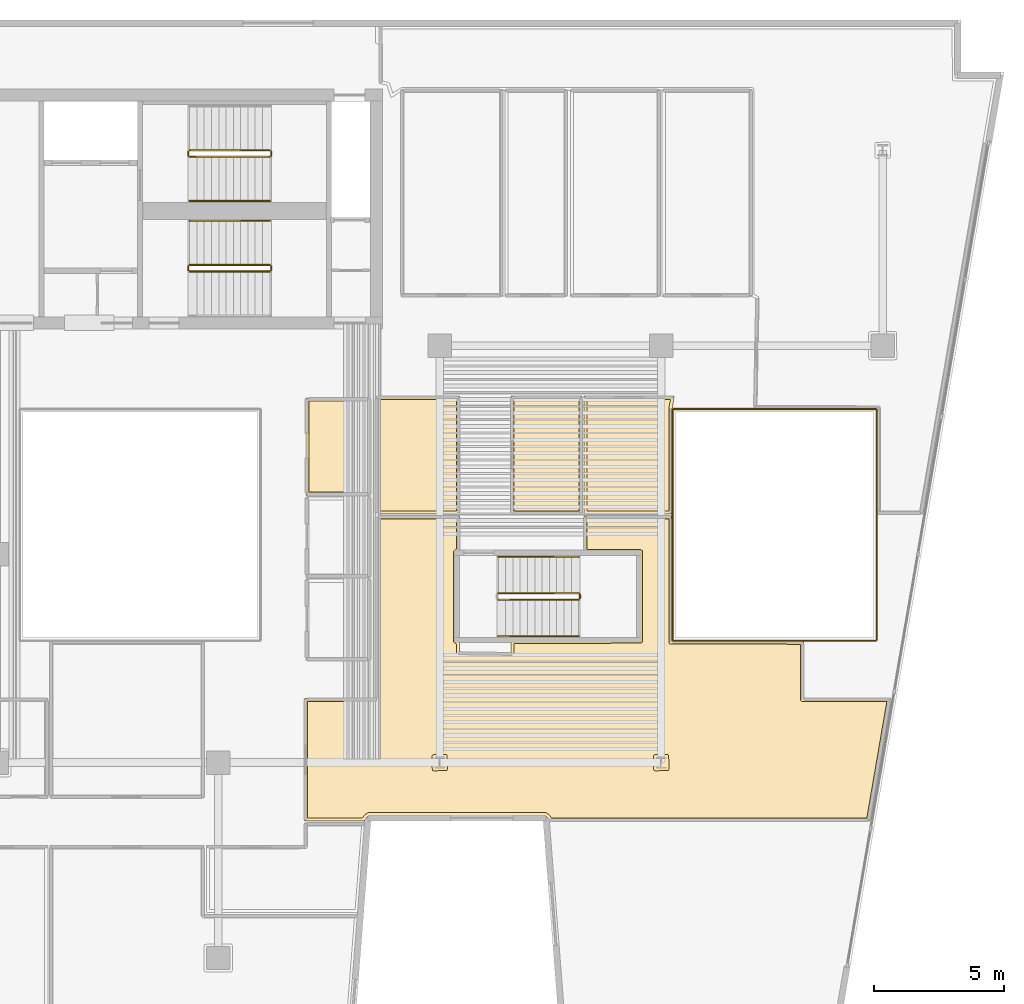
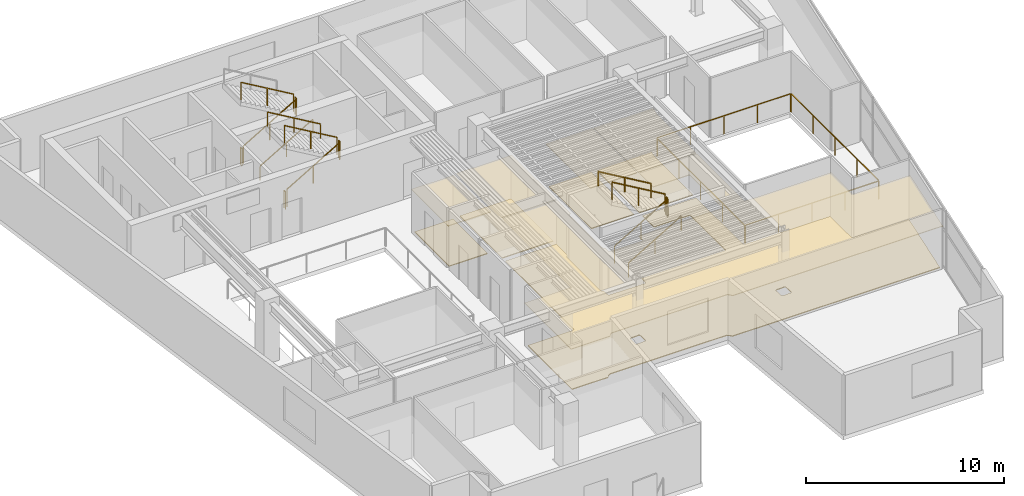
# One storey, part 9 of 10: 19 railings, 10 coverings.
"""IFC4 building model written with IfcOpenShell, lengths in metres."""

from ifc_helpers import new_model, si_unit, direction, frame, origin, origin_2d, place, context, subcontext, project, spatial, polyline, rectangle, outline, extrude, material, layer, layer_set, type_object, element, save


model = new_model("IFC4")

# Units and contexts
model_context = context("Model", 3, precision=1e-05, world=origin(), true_north=direction((0.0, 1.0)))
body_context = subcontext(model_context, "Body", "Model", "MODEL_VIEW")
ifc_project = project(units=[si_unit("LENGTHUNIT", "METRE"), si_unit("AREAUNIT", "SQUARE_METRE"), si_unit("VOLUMEUNIT", "CUBIC_METRE"), si_unit("PLANEANGLEUNIT", "RADIAN"), si_unit("MASSUNIT", "GRAM", prefix="KILO")], contexts=[model_context])

# Site, building, storey
site_placement = place(None, origin())
site = spatial("IfcSite", under=ifc_project, at=site_placement, CompositionType="ELEMENT")
building_placement = place(site_placement, origin())
building = spatial("IfcBuilding", under=site, at=building_placement, Name="Caeloran Harvest Quay", CompositionType="ELEMENT")
storey_placement = place(building_placement, frame((0.0, 0.0, 219.300048828125)))
storey = spatial("IfcBuildingStorey", under=building, at=storey_placement, Name="L52", CompositionType="ELEMENT", Elevation=219.300048828125)

# Coverings
ifc_material_1 = material(Name="Perforated Mineral-Fibre Acoustic Ceiling Tile", Category="ceiling")
ifc_layer_1 = layer(ifc_material_1, 0.0400390625, Name="Perforated Mineral-Fibre Acoustic Ceiling Tile")
ifc_layer_set_1 = layer_set([ifc_layer_1], Name="Perforated Mineral-Fibre Acoustic Ceiling Tile")
covering_type_1 = type_object("IfcCoveringType", Name="COV-CEILING-ACOUSTIC", PredefinedType="CEILING", material=ifc_layer_set_1)
covering_1_placement = place(storey_placement, frame((0.0, 0.0, 2.599853515625)))
element("IfcCovering", 1, at=covering_1_placement, inside=storey, type_object=covering_type_1, Name="L52 Male Washroom WC Acoustic Ceiling", PredefinedType="CEILING", context=body_context, shape_type="SweptSolid", body=[
    extrude(outline(polyline([(22.840087890625, 28.989990234375), (22.840087890625, 25.260009765625), (20.360107421875, 25.260009765625), (20.360107421875, 28.989990234375), (22.840087890625, 28.989990234375)])), origin(), (0.0, 0.0, 1.0), 0.0400390625),
])
covering_2_placement = place(storey_placement, frame((0.0, 0.0, 2.599853515625)))
element("IfcCovering", 2, at=covering_2_placement, inside=storey, type_object=covering_type_1, Name="Founder Fireside Salon Lounge Acoustic Ceiling", PredefinedType="CEILING", context=body_context, shape_type="SweptSolid", body=[
    extrude(outline(polyline([(33.159912109375, 23.06005859375), (31.0400390625, 23.06005859375), (31.0400390625, 24.4599609375), (34.409912109375, 24.4599609375), (34.409912109375, 19.659912109375), (39.4599609375, 19.659912109375), (39.4599609375, 17.4599609375), (42.801025390625, 17.4599609375), (41.993408203125, 12.760009765625), (29.727294921875, 12.760009765625), (29.64111328125, 12.887451171875), (29.54150390625, 12.969970703125), (22.78515625, 12.969970703125), (22.685302734375, 12.887451171875), (22.59912109375, 12.760009765625), (20.31005859375, 12.760009765625), (20.31005859375, 17.4599609375), (23.0400390625, 17.4599609375), (23.0400390625, 24.4599609375), (26.260009765625, 24.4599609375), (26.260009765625, 23.145751953125), (26.139892578125, 23.05078125), (26.139892578125, 19.69921875), (26.260009765625, 19.604248046875), (26.260009765625, 19.239501953125), (28.239990234375, 19.210693359375), (28.239990234375, 19.68994140625), (33.159912109375, 19.68994140625), (33.159912109375, 23.06005859375)])), origin(), (0.0, 0.0, 1.0), 0.0400390625),
])
covering_3_placement = place(storey_placement, frame((0.0, 0.0, 2.599853515625)))
element("IfcCovering", 3, at=covering_3_placement, inside=storey, type_object=covering_type_1, Name="Refreshment Dining Kitchen Acoustic Ceiling", PredefinedType="CEILING", context=body_context, shape_type="SweptSolid", body=[
    extrude(outline(polyline([(23.0400390625, 29.06005859375), (26.260009765625, 29.06005859375), (26.260009765625, 24.5400390625), (23.0400390625, 24.5400390625), (23.0400390625, 29.06005859375)])), origin(), (0.0, 0.0, 1.0), 0.0400390625),
])
covering_4_placement = place(storey_placement, frame((0.0, 0.0, 2.599853515625)))
element("IfcCovering", 4, at=covering_4_placement, inside=storey, type_object=covering_type_1, Name="Secure Vault Laboratory Acoustic Ceiling", PredefinedType="CEILING", context=body_context, shape_type="SweptSolid", body=[
    extrude(outline(polyline([(28.239990234375, 24.5400390625), (28.239990234375, 29.06005859375), (30.9599609375, 29.06005859375), (30.9599609375, 24.5400390625), (28.239990234375, 24.5400390625)])), origin(), (0.0, 0.0, 1.0), 0.0400390625),
])
covering_5_placement = place(storey_placement, frame((0.0, 0.0, 2.599853515625)))
element("IfcCovering", 5, at=covering_5_placement, inside=storey, type_object=covering_type_1, Name="Clean-Tech Venture Studio 9 Acoustic Ceiling", PredefinedType="CEILING", context=body_context, shape_type="SweptSolid", body=[
    extrude(outline(polyline([(34.409912109375, 28.592041015625), (34.409912109375, 24.5400390625), (31.0400390625, 24.5400390625), (31.0400390625, 29.06005859375), (34.49853515625, 29.06005859375), (34.429931640625, 28.596923828125), (34.409912109375, 28.592041015625)])), origin(), (0.0, 0.0, 1.0), 0.0400390625),
])
ifc_material_2 = material(Name="Calcium-Sulphate Raised Access Floor and Terrazzo Finish", Category="flooring")
ifc_layer_2 = layer(ifc_material_2, 0.050048828125, Name="Calcium-Sulphate Raised Access Floor and Terrazzo Finish")
ifc_layer_set_2 = layer_set([ifc_layer_2], Name="Calcium-Sulphate Raised Access Floor and Terrazzo Finish")
covering_type_2 = type_object("IfcCoveringType", Name="COV-FLOOR-RAISED", PredefinedType="FLOORING", material=ifc_layer_set_2)
covering_6_placement = place(storey_placement, origin())
element("IfcCovering", 6, at=covering_6_placement, inside=storey, type_object=covering_type_2, Name="L52 Male Washroom WC Raised Finish Flooring", PredefinedType="FLOORING", context=body_context, shape_type="SweptSolid", body=[
    extrude(outline(polyline([(22.719970703125, 28.8701171875), (22.719970703125, 25.3798828125), (20.47998046875, 25.3798828125), (20.47998046875, 28.8701171875), (22.719970703125, 28.8701171875)])), origin(), (0.0, 0.0, 1.0), 0.050048828125),
])
covering_7_placement = place(storey_placement, origin())
element("IfcCovering", 7, at=covering_7_placement, inside=storey, type_object=covering_type_2, Name="Founder Fireside Salon Lounge Raised Finish Flooring", PredefinedType="FLOORING", context=body_context, shape_type="SweptSolid", body=[
    extrude(outline(polyline([(22.54296875, 12.8798828125), (20.429931640625, 12.8798828125), (20.429931640625, 17.340087890625), (23.080078125, 17.340087890625), (23.15380859375, 17.389404296875), (23.159912109375, 24.340087890625), (26.139892578125, 24.340087890625), (26.139892578125, 23.20361328125), (26.038818359375, 23.12158203125), (26.02001953125, 23.070068359375), (26.02001953125, 19.679931640625), (26.038818359375, 19.62841796875), (26.139892578125, 19.54638671875), (26.140380859375, 19.192138671875), (26.19580078125, 19.123779296875), (28.294677734375, 19.09130859375), (28.359619140625, 19.162109375), (28.360107421875, 19.570068359375), (33.244384765625, 19.58349609375), (33.280029296875, 19.64990234375), (33.27392578125, 23.130615234375), (33.199951171875, 23.179931640625), (31.159912109375, 23.179931640625), (31.159912109375, 24.340087890625), (34.2900390625, 24.340087890625), (34.2900390625, 19.6201171875), (34.319091796875, 19.55810546875), (39.340087890625, 19.5400390625), (39.340087890625, 17.419921875), (39.37548828125, 17.353515625), (42.65869140625, 17.340087890625), (41.89208984375, 12.8798828125), (29.783447265625, 12.8798828125), (29.709716796875, 12.990478515625), (29.559326171875, 13.090087890625), (22.76708984375, 13.090087890625), (22.616943359375, 12.990478515625), (22.54296875, 12.8798828125)]), holes=[polyline([(34.302490234375, 14.754150390625), (34.284912109375, 15.288818359375), (34.230712890625, 15.317626953125), (33.726318359375, 15.2998046875), (33.697021484375, 15.238037109375), (33.715087890625, 14.711181640625), (33.777099609375, 14.681884765625), (34.273681640625, 14.7001953125), (34.302490234375, 14.754150390625)]), polyline([(25.802490234375, 14.754150390625), (25.784912109375, 15.288818359375), (25.730712890625, 15.317626953125), (25.226318359375, 15.2998046875), (25.197021484375, 15.238037109375), (25.215087890625, 14.711181640625), (25.277099609375, 14.681884765625), (25.773681640625, 14.7001953125), (25.802490234375, 14.754150390625)])]), origin(), (0.0, 0.0, 1.0), 0.050048828125),
])
covering_8_placement = place(storey_placement, origin())
element("IfcCovering", 8, at=covering_8_placement, inside=storey, type_object=covering_type_2, Name="Refreshment Dining Kitchen Raised Finish Flooring", PredefinedType="FLOORING", context=body_context, shape_type="SweptSolid", body=[
    extrude(outline(polyline([(23.159912109375, 28.93994140625), (26.139892578125, 28.93994140625), (26.139892578125, 24.659912109375), (23.159912109375, 24.659912109375), (23.159912109375, 28.93994140625)])), origin(), (0.0, 0.0, 1.0), 0.050048828125),
])
covering_9_placement = place(storey_placement, origin())
element("IfcCovering", 9, at=covering_9_placement, inside=storey, type_object=covering_type_2, Name="Secure Vault Laboratory Raised Finish Flooring", PredefinedType="FLOORING", context=body_context, shape_type="SweptSolid", body=[
    extrude(outline(polyline([(28.360107421875, 24.659912109375), (28.360107421875, 28.93994140625), (30.840087890625, 28.93994140625), (30.840087890625, 24.659912109375), (28.360107421875, 24.659912109375)])), origin(), (0.0, 0.0, 1.0), 0.050048828125),
])
covering_10_placement = place(storey_placement, origin())
element("IfcCovering", 10, at=covering_10_placement, inside=storey, type_object=covering_type_2, Name="Clean-Tech Venture Studio 9 Raised Finish Flooring", PredefinedType="FLOORING", context=body_context, shape_type="SweptSolid", body=[
    extrude(outline(polyline([(34.359619140625, 28.93994140625), (34.2900390625, 28.60009765625), (34.2900390625, 24.659912109375), (31.159912109375, 24.659912109375), (31.159912109375, 28.93994140625), (34.359619140625, 28.93994140625)])), origin(), (0.0, 0.0, 1.0), 0.050048828125),
])

# Railings
ifc_material_3 = material(Name="Powder-Coated Steel Post and Laminated Glass Guardrail", Category="steel")
ifc_layer_3 = layer(ifc_material_3, 0.06005859375, Name="Powder-Coated Steel Post and Laminated Glass Guardrail")
ifc_layer_set_3 = layer_set([ifc_layer_3], Name="Powder-Coated Steel Post and Laminated Glass Guardrail")
railing_type_1 = type_object("IfcRailingType", Name="GUARD-ATRIUM-1150", PredefinedType="GUARDRAIL", material=ifc_layer_set_3)
railing_1_placement = place(storey_placement, frame((34.4619140625, 19.679931640625, 0.0)))
element("IfcRailing", 11, at=railing_1_placement, inside=storey, type_object=railing_type_1, Name="L52 East Botanical Lightwell Guardrail Seg 1", PredefinedType="GUARDRAIL", context=body_context, shape_type="SweptSolid", body=[
    extrude(rectangle(XDim=0.048095703125, YDim=0.048095703125, at=origin_2d()), frame((0.0, 0.0, 1.1259765625), z_axis=(1.0, 0.0, 0.0), x_axis=(0.0, 1.0, 0.0)), (0.0, 0.0, 1.0), 7.776123046875),
    extrude(rectangle(XDim=0.0419921875, YDim=0.0419921875, at=origin_2d()), origin(), (0.0, 0.0, 1.0), 1.101806640625),
    extrude(rectangle(XDim=0.0419921875, YDim=0.0419921875, at=origin_2d()), frame((1.944091796875, 0.0, 0.0)), (0.0, 0.0, 1.0), 1.101806640625),
    extrude(rectangle(XDim=0.0419921875, YDim=0.0419921875, at=origin_2d()), frame((3.88818359375, 0.0, 0.0)), (0.0, 0.0, 1.0), 1.101806640625),
    extrude(rectangle(XDim=0.0419921875, YDim=0.0419921875, at=origin_2d()), frame((5.83203125, 0.0, 0.0)), (0.0, 0.0, 1.0), 1.101806640625),
    extrude(rectangle(XDim=0.0419921875, YDim=0.0419921875, at=origin_2d()), frame((7.776123046875, 0.0, 0.0)), (0.0, 0.0, 1.0), 1.101806640625),
])
railing_2_placement = place(storey_placement, frame((42.27001953125, 19.7119140625, 0.0)))
element("IfcRailing", 12, at=railing_2_placement, inside=storey, type_object=railing_type_1, Name="L52 East Botanical Lightwell Guardrail Seg 2", PredefinedType="GUARDRAIL", context=body_context, shape_type="SweptSolid", body=[
    extrude(rectangle(XDim=0.048095703125, YDim=0.048095703125, at=origin_2d()), frame((0.0, 0.0, 1.1259765625), z_axis=(0.0, 1.0, 0.0), x_axis=(-1.0, 0.0, 0.0)), (0.0, 0.0, 1.0), 8.826171875),
    extrude(rectangle(XDim=0.0419921875, YDim=0.0419921875, at=origin_2d()), origin(), (0.0, 0.0, 1.0), 1.101806640625),
    extrude(rectangle(XDim=0.0419921875, YDim=0.0419921875, at=origin_2d()), frame((0.0, 2.20654296875, 0.0)), (0.0, 0.0, 1.0), 1.101806640625),
    extrude(rectangle(XDim=0.0419921875, YDim=0.0419921875, at=origin_2d()), frame((0.0, 4.4130859375, 0.0)), (0.0, 0.0, 1.0), 1.101806640625),
    extrude(rectangle(XDim=0.0419921875, YDim=0.0419921875, at=origin_2d()), frame((0.0, 6.61962890625, 0.0)), (0.0, 0.0, 1.0), 1.101806640625),
    extrude(rectangle(XDim=0.0419921875, YDim=0.0419921875, at=origin_2d()), frame((0.0, 8.826171875, 0.0)), (0.0, 0.0, 1.0), 1.101806640625),
])
railing_3_placement = place(storey_placement, frame((42.238037109375, 28.570068359375, 0.0)))
element("IfcRailing", 13, at=railing_3_placement, inside=storey, type_object=railing_type_1, Name="L52 East Botanical Lightwell Guardrail Seg 3", PredefinedType="GUARDRAIL", context=body_context, shape_type="SweptSolid", body=[
    extrude(rectangle(XDim=0.048095703125, YDim=0.048095703125, at=origin_2d()), frame((0.0, 0.0, 1.1259765625), z_axis=(-1.0, 0.0, 0.0), x_axis=(0.0, -1.0, 0.0)), (0.0, 0.0, 1.0), 7.776123046875),
    extrude(rectangle(XDim=0.0419921875, YDim=0.0419921875, at=origin_2d()), origin(), (0.0, 0.0, 1.0), 1.101806640625),
    extrude(rectangle(XDim=0.0419921875, YDim=0.0419921875, at=origin_2d()), frame((-1.944091796875, 0.0, 0.0)), (0.0, 0.0, 1.0), 1.101806640625),
    extrude(rectangle(XDim=0.0419921875, YDim=0.0419921875, at=origin_2d()), frame((-3.88818359375, 0.0, 0.0)), (0.0, 0.0, 1.0), 1.101806640625),
    extrude(rectangle(XDim=0.0419921875, YDim=0.0419921875, at=origin_2d()), frame((-5.83203125, 0.0, 0.0)), (0.0, 0.0, 1.0), 1.101806640625),
    extrude(rectangle(XDim=0.0419921875, YDim=0.0419921875, at=origin_2d()), frame((-7.776123046875, 0.0, 0.0)), (0.0, 0.0, 1.0), 1.101806640625),
])
railing_4_placement = place(storey_placement, frame((34.429931640625, 28.5380859375, 0.0)))
element("IfcRailing", 14, at=railing_4_placement, inside=storey, type_object=railing_type_1, Name="L52 East Botanical Lightwell Guardrail Seg 4", PredefinedType="GUARDRAIL", context=body_context, shape_type="SweptSolid", body=[
    extrude(rectangle(XDim=0.048095703125, YDim=0.048095703125, at=origin_2d()), frame((0.0, 0.0, 1.1259765625), z_axis=(0.0, -1.0, 0.0), x_axis=(1.0, 0.0, 0.0)), (0.0, 0.0, 1.0), 8.826171875),
    extrude(rectangle(XDim=0.0419921875, YDim=0.0419921875, at=origin_2d()), origin(), (0.0, 0.0, 1.0), 1.101806640625),
    extrude(rectangle(XDim=0.0419921875, YDim=0.0419921875, at=origin_2d()), frame((0.0, -2.20654296875, 0.0)), (0.0, 0.0, 1.0), 1.101806640625),
    extrude(rectangle(XDim=0.0419921875, YDim=0.0419921875, at=origin_2d()), frame((0.0, -4.4130859375, 0.0)), (0.0, 0.0, 1.0), 1.101806640625),
    extrude(rectangle(XDim=0.0419921875, YDim=0.0419921875, at=origin_2d()), frame((0.0, -6.61962890625, 0.0)), (0.0, 0.0, 1.0), 1.101806640625),
    extrude(rectangle(XDim=0.0419921875, YDim=0.0419921875, at=origin_2d()), frame((0.0, -8.826171875, 0.0)), (0.0, 0.0, 1.0), 1.101806640625),
])
ifc_material_4 = material(Name="Painted Steel Baluster and Top-Rail Stair Guard", Category="steel")
ifc_layer_4 = layer(ifc_material_4, 0.050048828125, Name="Painted Steel Baluster and Top-Rail Stair Guard")
ifc_layer_set_4 = layer_set([ifc_layer_4], Name="Painted Steel Baluster and Top-Rail Stair Guard")
railing_type_2 = type_object("IfcRailingType", Name="STAIR-GUARD-1100", PredefinedType="GUARDRAIL", material=ifc_layer_set_4)
railing_5_placement = place(storey_placement, frame((15.89990234375, 38.25, 0.16455078125)))
element("IfcRailing", 15, at=railing_5_placement, inside=storey, type_object=railing_type_2, Name="L52 ST-C1 stair guard 1", PredefinedType="GUARDRAIL", context=body_context, shape_type="SweptSolid", body=[
    extrude(rectangle(XDim=0.048095703125, YDim=0.048095703125, at=origin_2d()), frame((0.0, 0.0, 1.076171875), z_axis=(0.862118610829, 0.0, 0.506706523406), x_axis=(0.0, 1.0, 0.0)), (0.0, 0.0, 1.0), 3.57275390625),
    extrude(rectangle(XDim=0.0419921875, YDim=0.0419921875, at=origin_2d()), origin(), (0.0, 0.0, 1.0), 1.052001953125),
    extrude(rectangle(XDim=0.0419921875, YDim=0.0419921875, at=origin_2d()), frame((1.5400390625, 0.0, 0.9052734375)), (0.0, 0.0, 1.0), 1.052001953125),
    extrude(rectangle(XDim=0.0419921875, YDim=0.0419921875, at=origin_2d()), frame((3.080078125, 0.0, 1.810302734375)), (0.0, 0.0, 1.0), 1.052001953125),
])
railing_6_placement = place(storey_placement, frame((19.030029296875, 38.300048828125, 1.974853515625)))
element("IfcRailing", 16, at=railing_6_placement, inside=storey, type_object=railing_type_2, Name="L52 ST-C1 stair guard 2", PredefinedType="GUARDRAIL", context=body_context, shape_type="SweptSolid", body=[
    extrude(rectangle(XDim=0.048095703125, YDim=0.048095703125, at=origin_2d()), frame((0.0, 0.0, 1.076171875), z_axis=(0.0, 1.0, 0.0), x_axis=(-1.0, 0.0, 0.0)), (0.0, 0.0, 1.0), 0.14990234375),
    extrude(rectangle(XDim=0.0419921875, YDim=0.0419921875, at=origin_2d()), origin(), (0.0, 0.0, 1.0), 1.052001953125),
    extrude(rectangle(XDim=0.0419921875, YDim=0.0419921875, at=origin_2d()), frame((0.0, 0.14990234375, 0.0)), (0.0, 0.0, 1.0), 1.052001953125),
])
railing_7_placement = place(storey_placement, frame((18.97998046875, 38.5, 2.1396484375)))
element("IfcRailing", 17, at=railing_7_placement, inside=storey, type_object=railing_type_2, Name="L52 ST-C1 stair guard 3", PredefinedType="GUARDRAIL", context=body_context, shape_type="SweptSolid", body=[
    extrude(rectangle(XDim=0.048095703125, YDim=0.048095703125, at=origin_2d()), frame((0.0, 0.0, 1.076171875), z_axis=(-0.862118610829, 0.0, 0.506706523406), x_axis=(0.0, -1.0, 0.0)), (0.0, 0.0, 1.0), 3.57275390625),
    extrude(rectangle(XDim=0.0419921875, YDim=0.0419921875, at=origin_2d()), origin(), (0.0, 0.0, 1.0), 1.052001953125),
    extrude(rectangle(XDim=0.0419921875, YDim=0.0419921875, at=origin_2d()), frame((-1.5400390625, 0.0, 0.9052734375)), (0.0, 0.0, 1.0), 1.052001953125),
    extrude(rectangle(XDim=0.0419921875, YDim=0.0419921875, at=origin_2d()), frame((-3.080078125, 0.0, 1.810302734375)), (0.0, 0.0, 1.0), 1.052001953125),
])
railing_8_placement = place(storey_placement, frame((15.85009765625, 38.300048828125, 0.0)))
element("IfcRailing", 18, at=railing_8_placement, inside=storey, type_object=railing_type_2, Name="L52 ST-C1 stair guard 4", PredefinedType="GUARDRAIL", context=body_context, shape_type="SweptSolid", body=[
    extrude(rectangle(XDim=0.048095703125, YDim=0.048095703125, at=origin_2d()), frame((0.0, 0.0, 1.076171875), z_axis=(0.0, 1.0, 0.0), x_axis=(-1.0, 0.0, 0.0)), (0.0, 0.0, 1.0), 0.14990234375),
    extrude(rectangle(XDim=0.0419921875, YDim=0.0419921875, at=origin_2d()), origin(), (0.0, 0.0, 1.0), 1.052001953125),
    extrude(rectangle(XDim=0.0419921875, YDim=0.0419921875, at=origin_2d()), frame((0.0, 0.14990234375, 0.0)), (0.0, 0.0, 1.0), 1.052001953125),
])
railing_9_placement = place(storey_placement, frame((15.89990234375, 33.85009765625, 0.16455078125)))
element("IfcRailing", 19, at=railing_9_placement, inside=storey, type_object=railing_type_2, Name="L52 ST-C2 stair guard 1", PredefinedType="GUARDRAIL", context=body_context, shape_type="SweptSolid", body=[
    extrude(rectangle(XDim=0.048095703125, YDim=0.048095703125, at=origin_2d()), frame((0.0, 0.0, 1.076171875), z_axis=(0.862118610829, 0.0, 0.506706523406), x_axis=(0.0, 1.0, 0.0)), (0.0, 0.0, 1.0), 3.57275390625),
    extrude(rectangle(XDim=0.0419921875, YDim=0.0419921875, at=origin_2d()), origin(), (0.0, 0.0, 1.0), 1.052001953125),
    extrude(rectangle(XDim=0.0419921875, YDim=0.0419921875, at=origin_2d()), frame((1.5400390625, 0.0, 0.9052734375)), (0.0, 0.0, 1.0), 1.052001953125),
    extrude(rectangle(XDim=0.0419921875, YDim=0.0419921875, at=origin_2d()), frame((3.080078125, 0.0, 1.810302734375)), (0.0, 0.0, 1.0), 1.052001953125),
])
railing_10_placement = place(storey_placement, frame((19.030029296875, 33.89990234375, 1.974853515625)))
element("IfcRailing", 20, at=railing_10_placement, inside=storey, type_object=railing_type_2, Name="L52 ST-C2 stair guard 2", PredefinedType="GUARDRAIL", context=body_context, shape_type="SweptSolid", body=[
    extrude(rectangle(XDim=0.048095703125, YDim=0.048095703125, at=origin_2d()), frame((0.0, 0.0, 1.076171875), z_axis=(0.0, 1.0, 0.0), x_axis=(-1.0, 0.0, 0.0)), (0.0, 0.0, 1.0), 0.150146484375),
    extrude(rectangle(XDim=0.0419921875, YDim=0.0419921875, at=origin_2d()), origin(), (0.0, 0.0, 1.0), 1.052001953125),
    extrude(rectangle(XDim=0.0419921875, YDim=0.0419921875, at=origin_2d()), frame((0.0, 0.150146484375, 0.0)), (0.0, 0.0, 1.0), 1.052001953125),
])
railing_11_placement = place(storey_placement, frame((18.97998046875, 34.10009765625, 2.1396484375)))
element("IfcRailing", 21, at=railing_11_placement, inside=storey, type_object=railing_type_2, Name="L52 ST-C2 stair guard 3", PredefinedType="GUARDRAIL", context=body_context, shape_type="SweptSolid", body=[
    extrude(rectangle(XDim=0.048095703125, YDim=0.048095703125, at=origin_2d()), frame((0.0, 0.0, 1.076171875), z_axis=(-0.862118610829, 0.0, 0.506706523406), x_axis=(0.0, -1.0, 0.0)), (0.0, 0.0, 1.0), 3.57275390625),
    extrude(rectangle(XDim=0.0419921875, YDim=0.0419921875, at=origin_2d()), origin(), (0.0, 0.0, 1.0), 1.052001953125),
    extrude(rectangle(XDim=0.0419921875, YDim=0.0419921875, at=origin_2d()), frame((-1.5400390625, 0.0, 0.9052734375)), (0.0, 0.0, 1.0), 1.052001953125),
    extrude(rectangle(XDim=0.0419921875, YDim=0.0419921875, at=origin_2d()), frame((-3.080078125, 0.0, 1.810302734375)), (0.0, 0.0, 1.0), 1.052001953125),
])
railing_12_placement = place(storey_placement, frame((15.85009765625, 33.89990234375, 0.0)))
element("IfcRailing", 22, at=railing_12_placement, inside=storey, type_object=railing_type_2, Name="L52 ST-C2 stair guard 4", PredefinedType="GUARDRAIL", context=body_context, shape_type="SweptSolid", body=[
    extrude(rectangle(XDim=0.048095703125, YDim=0.048095703125, at=origin_2d()), frame((0.0, 0.0, 1.076171875), z_axis=(0.0, 1.0, 0.0), x_axis=(-1.0, 0.0, 0.0)), (0.0, 0.0, 1.0), 0.150146484375),
    extrude(rectangle(XDim=0.0419921875, YDim=0.0419921875, at=origin_2d()), origin(), (0.0, 0.0, 1.0), 1.052001953125),
    extrude(rectangle(XDim=0.0419921875, YDim=0.0419921875, at=origin_2d()), frame((0.0, 0.150146484375, 0.0)), (0.0, 0.0, 1.0), 1.052001953125),
])
railing_13_placement = place(storey_placement, frame((27.75, 21.25, 0.16455078125)))
element("IfcRailing", 23, at=railing_13_placement, inside=storey, type_object=railing_type_2, Name="L52 ST-W1 stair guard 1", PredefinedType="GUARDRAIL", context=body_context, shape_type="SweptSolid", body=[
    extrude(rectangle(XDim=0.048095703125, YDim=0.048095703125, at=origin_2d()), frame((0.0, 0.0, 1.076171875), z_axis=(0.862118610829, 0.0, 0.506706523406), x_axis=(0.0, 1.0, 0.0)), (0.0, 0.0, 1.0), 3.57275390625),
    extrude(rectangle(XDim=0.0419921875, YDim=0.0419921875, at=origin_2d()), origin(), (0.0, 0.0, 1.0), 1.052001953125),
    extrude(rectangle(XDim=0.0419921875, YDim=0.0419921875, at=origin_2d()), frame((1.5400390625, 0.0, 0.9052734375)), (0.0, 0.0, 1.0), 1.052001953125),
    extrude(rectangle(XDim=0.0419921875, YDim=0.0419921875, at=origin_2d()), frame((3.080078125, 0.0, 1.810302734375)), (0.0, 0.0, 1.0), 1.052001953125),
])
railing_14_placement = place(storey_placement, frame((30.8798828125, 21.300048828125, 1.974853515625)))
element("IfcRailing", 24, at=railing_14_placement, inside=storey, type_object=railing_type_2, Name="L52 ST-W1 stair guard 2", PredefinedType="GUARDRAIL", context=body_context, shape_type="SweptSolid", body=[
    extrude(rectangle(XDim=0.048095703125, YDim=0.048095703125, at=origin_2d()), frame((0.0, 0.0, 1.076171875), z_axis=(0.0, 1.0, 0.0), x_axis=(-1.0, 0.0, 0.0)), (0.0, 0.0, 1.0), 0.14990234375),
    extrude(rectangle(XDim=0.0419921875, YDim=0.0419921875, at=origin_2d()), origin(), (0.0, 0.0, 1.0), 1.052001953125),
    extrude(rectangle(XDim=0.0419921875, YDim=0.0419921875, at=origin_2d()), frame((0.0, 0.14990234375, 0.0)), (0.0, 0.0, 1.0), 1.052001953125),
])
railing_15_placement = place(storey_placement, frame((30.830078125, 21.5, 2.1396484375)))
element("IfcRailing", 25, at=railing_15_placement, inside=storey, type_object=railing_type_2, Name="L52 ST-W1 stair guard 3", PredefinedType="GUARDRAIL", context=body_context, shape_type="SweptSolid", body=[
    extrude(rectangle(XDim=0.048095703125, YDim=0.048095703125, at=origin_2d()), frame((0.0, 0.0, 1.076171875), z_axis=(-0.862118610829, 0.0, 0.506706523406), x_axis=(0.0, -1.0, 0.0)), (0.0, 0.0, 1.0), 3.57275390625),
    extrude(rectangle(XDim=0.0419921875, YDim=0.0419921875, at=origin_2d()), origin(), (0.0, 0.0, 1.0), 1.052001953125),
    extrude(rectangle(XDim=0.0419921875, YDim=0.0419921875, at=origin_2d()), frame((-1.5400390625, 0.0, 0.9052734375)), (0.0, 0.0, 1.0), 1.052001953125),
    extrude(rectangle(XDim=0.0419921875, YDim=0.0419921875, at=origin_2d()), frame((-3.080078125, 0.0, 1.810302734375)), (0.0, 0.0, 1.0), 1.052001953125),
])
ifc_material_5 = material(Name="Brushed Stainless Steel Grade 304", Category="steel")
ifc_layer_5 = layer(ifc_material_5, 0.050048828125, Name="Brushed Stainless Steel Grade 304")
ifc_layer_set_5 = layer_set([ifc_layer_5], Name="Brushed Stainless Steel Grade 304")
railing_type_3 = type_object("IfcRailingType", Name="STAIR-HANDRAIL-900", PredefinedType="HANDRAIL", material=ifc_layer_set_5)
railing_16_placement = place(storey_placement, frame((15.89990234375, 36.550048828125, 0.16455078125)))
element("IfcRailing", 26, at=railing_16_placement, inside=storey, type_object=railing_type_3, Name="L52 ST-C1 stair handrail 1", PredefinedType="HANDRAIL", context=body_context, shape_type="SweptSolid", body=[
    extrude(rectangle(XDim=0.048095703125, YDim=0.048095703125, at=origin_2d()), frame((0.0, 0.0, 0.8759765625), z_axis=(0.862118610829, 0.0, 0.506706523406), x_axis=(0.0, 1.0, 0.0)), (0.0, 0.0, 1.0), 3.57275390625),
    extrude(rectangle(XDim=0.0419921875, YDim=0.0419921875, at=origin_2d()), origin(), (0.0, 0.0, 1.0), 0.851806640625),
    extrude(rectangle(XDim=0.0419921875, YDim=0.0419921875, at=origin_2d()), frame((1.5400390625, 0.0, 0.9052734375)), (0.0, 0.0, 1.0), 0.851806640625),
    extrude(rectangle(XDim=0.0419921875, YDim=0.0419921875, at=origin_2d()), frame((3.080078125, 0.0, 1.810302734375)), (0.0, 0.0, 1.0), 0.851806640625),
])
railing_17_placement = place(storey_placement, frame((18.97998046875, 35.800048828125, 2.1396484375)))
element("IfcRailing", 27, at=railing_17_placement, inside=storey, type_object=railing_type_3, Name="L52 ST-C2 stair handrail 2", PredefinedType="HANDRAIL", context=body_context, shape_type="SweptSolid", body=[
    extrude(rectangle(XDim=0.048095703125, YDim=0.048095703125, at=origin_2d()), frame((0.0, 0.0, 0.8759765625), z_axis=(-0.862118610829, 0.0, 0.506706523406), x_axis=(0.0, -1.0, 0.0)), (0.0, 0.0, 1.0), 3.57275390625),
    extrude(rectangle(XDim=0.0419921875, YDim=0.0419921875, at=origin_2d()), origin(), (0.0, 0.0, 1.0), 0.851806640625),
    extrude(rectangle(XDim=0.0419921875, YDim=0.0419921875, at=origin_2d()), frame((-1.5400390625, 0.0, 0.9052734375)), (0.0, 0.0, 1.0), 0.851806640625),
    extrude(rectangle(XDim=0.0419921875, YDim=0.0419921875, at=origin_2d()), frame((-3.080078125, 0.0, 1.810302734375)), (0.0, 0.0, 1.0), 0.851806640625),
])
railing_18_placement = place(storey_placement, frame((27.75, 19.85009765625, 0.16455078125)))
element("IfcRailing", 28, at=railing_18_placement, inside=storey, type_object=railing_type_3, Name="L52 ST-W1 stair handrail 1", PredefinedType="HANDRAIL", context=body_context, shape_type="SweptSolid", body=[
    extrude(rectangle(XDim=0.048095703125, YDim=0.048095703125, at=origin_2d()), frame((0.0, 0.0, 0.8759765625), z_axis=(0.862118610829, 0.0, 0.506706523406), x_axis=(0.0, 1.0, 0.0)), (0.0, 0.0, 1.0), 3.57275390625),
    extrude(rectangle(XDim=0.0419921875, YDim=0.0419921875, at=origin_2d()), origin(), (0.0, 0.0, 1.0), 0.851806640625),
    extrude(rectangle(XDim=0.0419921875, YDim=0.0419921875, at=origin_2d()), frame((1.5400390625, 0.0, 0.9052734375)), (0.0, 0.0, 1.0), 0.851806640625),
    extrude(rectangle(XDim=0.0419921875, YDim=0.0419921875, at=origin_2d()), frame((3.080078125, 0.0, 1.810302734375)), (0.0, 0.0, 1.0), 0.851806640625),
])
railing_19_placement = place(storey_placement, frame((30.830078125, 22.89990234375, 2.1396484375)))
element("IfcRailing", 29, at=railing_19_placement, inside=storey, type_object=railing_type_3, Name="L52 ST-W1 stair handrail 2", PredefinedType="HANDRAIL", context=body_context, shape_type="SweptSolid", body=[
    extrude(rectangle(XDim=0.048095703125, YDim=0.048095703125, at=origin_2d()), frame((0.0, 0.0, 0.8759765625), z_axis=(-0.862118610829, 0.0, 0.506706523406), x_axis=(0.0, -1.0, 0.0)), (0.0, 0.0, 1.0), 3.57275390625),
    extrude(rectangle(XDim=0.0419921875, YDim=0.0419921875, at=origin_2d()), origin(), (0.0, 0.0, 1.0), 0.851806640625),
    extrude(rectangle(XDim=0.0419921875, YDim=0.0419921875, at=origin_2d()), frame((-1.5400390625, 0.0, 0.9052734375)), (0.0, 0.0, 1.0), 0.851806640625),
    extrude(rectangle(XDim=0.0419921875, YDim=0.0419921875, at=origin_2d()), frame((-3.080078125, 0.0, 1.810302734375)), (0.0, 0.0, 1.0), 0.851806640625),
])

save(model, "model.ifc")
